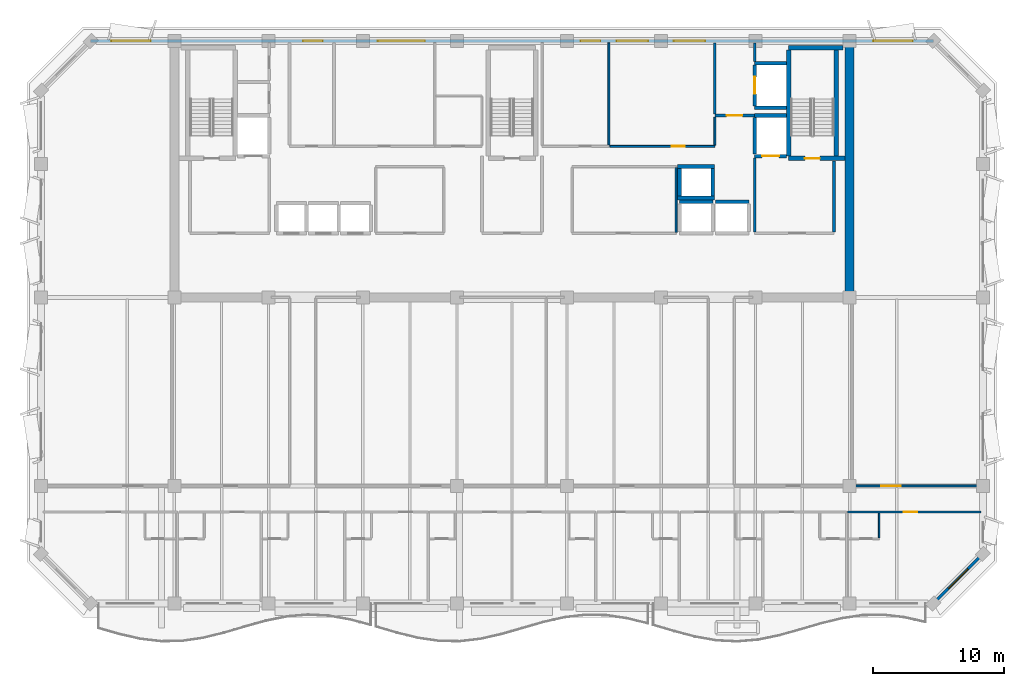
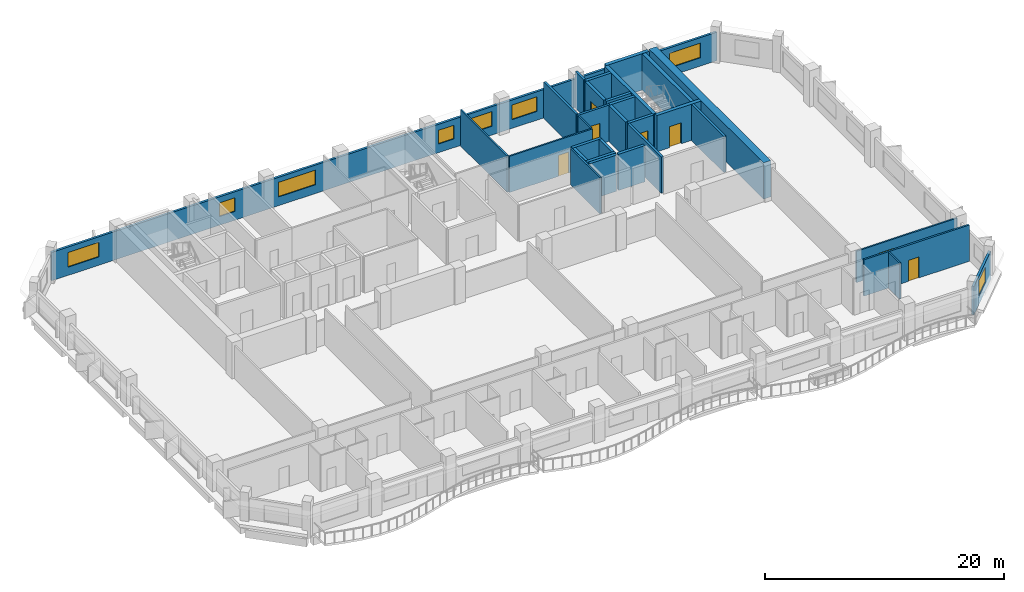
# One storey, part 7 of 11: 31 walls, 8 windows, 7 doors, 15 openings.
"""IFC4 building model written with IfcOpenShell, lengths in metres."""

from ifc_helpers import new_model, si_unit, direction, frame, frame_2d, origin, place, context, subcontext, project, spatial, rectangle, extrude, material, layer, layer_set, type_object, element, fill, save


model = new_model("IFC4")

# Units and contexts
model_context = context("Model", 3, precision=1e-05, world=origin(), true_north=direction((0.0, 1.0)))
body_context = subcontext(model_context, "Body", "Model", "MODEL_VIEW")
ifc_project = project(units=[si_unit("LENGTHUNIT", "METRE"), si_unit("AREAUNIT", "SQUARE_METRE"), si_unit("VOLUMEUNIT", "CUBIC_METRE"), si_unit("PLANEANGLEUNIT", "RADIAN"), si_unit("MASSUNIT", "GRAM", prefix="KILO")], contexts=[model_context])

# Site, building, storey
site_placement = place(None, origin())
site = spatial("IfcSite", under=ifc_project, at=site_placement, CompositionType="ELEMENT")
building_placement = place(site_placement, origin())
building = spatial("IfcBuilding", under=site, at=building_placement, Name="Kaelvorn Grand Hotel", CompositionType="ELEMENT")
storey_placement = place(building_placement, frame((0.0, 0.0, 241.0)))
storey = spatial("IfcBuildingStorey", under=building, at=storey_placement, Name="L59", CompositionType="ELEMENT", Elevation=241.0)

# Wall
ifc_material_1 = material(Name="Concrete C50/60", Category="concrete")
ifc_layer_1 = layer(ifc_material_1, 0.699951171875)
ifc_layer_set_1 = layer_set([ifc_layer_1], Name="Concrete C50/60")
wall_type_1 = type_object("IfcWallType", Name="WL-CORE-700-C50", PredefinedType="SHEAR", material=ifc_layer_set_1)
wall_1_placement = place(storey_placement, frame((67.800048828125, 29.39990234375, 0.0), z_axis=(0.0, 0.0, 1.0), x_axis=(0.0, 1.0, 0.0)))
element("IfcWall", 1, at=wall_1_placement, inside=storey, type_object=wall_type_1, Name="L59 Rear-Core East Shear Wall", PredefinedType="SHEAR", context=body_context, shape_type="SweptSolid", body=[
    extrude(rectangle(XDim=19.2001953125, YDim=0.699951171875, at=frame_2d((9.60009765625, 0.0))), origin(), (0.0, 0.0, 1.0), 3.7099609375),
])

# Wall, opening, window
ifc_material_2 = material(Name="Concrete C40/50", Category="concrete")
ifc_layer_2 = layer(ifc_material_2, 0.219970703125)
ifc_layer_set_2 = layer_set([ifc_layer_2], Name="Concrete C40/50")
wall_type_2 = type_object("IfcWallType", Name="WL-EXT-220-C40", PredefinedType="SOLIDWALL", material=ifc_layer_set_2)
wall_2_placement = place(storey_placement, frame((74.199951171875, 6.0, 0.0), z_axis=(0.0, 0.0, 1.0), x_axis=(0.707106781187, 0.707106781187, 0.0)))
wall_2 = element("IfcWall", 2, at=wall_2_placement, inside=storey, type_object=wall_type_2, Name="L59 Exterior Architectural Concrete Wall 02", PredefinedType="SOLIDWALL", context=body_context, shape_type="SweptSolid", body=[
    extrude(rectangle(XDim=5.3740234375, YDim=0.219970703125, at=frame_2d((2.68701171875, 0.0))), origin(), (0.0, 0.0, 1.0), 2.909912109375),
])
opening_1_placement = place(wall_2_placement, frame((1.636962890625, 0.0, 0.85009765625)))
opening_1 = element("IfcOpeningElement", 3, at=opening_1_placement, cuts=wall_2, Name="Opening W7", PredefinedType="OPENING", context=body_context, shape_type="SweptSolid", body=[
    extrude(rectangle(XDim=2.10009765625, YDim=1.60009765625, at=frame_2d((1.050048828125, 0.800048828125))), frame((0.0, 0.1201171875, 0.0), z_axis=(0.0, -1.0, 0.0), x_axis=(1.0, 0.0, 0.0)), (0.0, 0.0, 1.0), 0.239990234375),
])
ifc_material_3 = material(Name="Laminated Low-E Glass", Category="glass")
window_type_1 = type_object("IfcWindowType", Name="WIN-CHM-2100x1600", PartitioningType="SINGLE_PANEL", PredefinedType="WINDOW", material=ifc_material_3)
window_1_placement = place(opening_1_placement, origin())
window_1 = element("IfcWindow", 4, at=window_1_placement, inside=storey, type_object=window_type_1, Name="L59 Chamfered 45-Degree Corner Window SE", OverallHeight=1.60009765625, OverallWidth=2.10009765625, PartitioningType="SINGLE_PANEL", PredefinedType="WINDOW", context=body_context, shape_type="SweptSolid", body=[
    extrude(rectangle(XDim=2.10009765625, YDim=1.60009765625, at=frame_2d((1.050048828125, 0.800048828125))), frame((0.0, 0.030029296875, 0.0), z_axis=(0.0, -1.0, 0.0), x_axis=(1.0, 0.0, 0.0)), (0.0, 0.0, 1.0), 0.06005859375),
])
fill(opening_1, window_1)

# Wall, openings, windows
wall_3_placement = place(storey_placement, frame((74.199951171875, 49.0, 0.0), z_axis=(0.0, 0.0, 1.0), x_axis=(-1.0, 0.0, 0.0)))
wall_3 = element("IfcWall", 5, at=wall_3_placement, inside=storey, type_object=wall_type_2, Name="L59 Exterior Architectural Concrete Wall 05", PredefinedType="SOLIDWALL", context=body_context, shape_type="SweptSolid", body=[
    extrude(rectangle(XDim=64.39990234375, YDim=0.219970703125, at=frame_2d((32.199951171875, 0.0))), origin(), (0.0, 0.0, 1.0), 2.909912109375),
])
opening_2_placement = place(wall_3_placement, frame((59.81494140625, 0.0, 0.85009765625)))
opening_2 = element("IfcOpeningElement", 6, at=opening_2_placement, cuts=wall_3, Name="Opening W5", PredefinedType="OPENING", context=body_context, shape_type="SweptSolid", body=[
    extrude(rectangle(XDim=3.0, YDim=1.5, at=frame_2d((1.5, 0.75))), frame((0.0, 0.1201171875, 0.0), z_axis=(0.0, -1.0, 0.0), x_axis=(1.0, 0.0, 0.0)), (0.0, 0.0, 1.0), 0.239990234375),
])
opening_3_placement = place(wall_3_placement, frame((1.5849609375, 0.0, 0.85009765625)))
opening_3 = element("IfcOpeningElement", 7, at=opening_3_placement, cuts=wall_3, Name="Opening W5", PredefinedType="OPENING", context=body_context, shape_type="SweptSolid", body=[
    extrude(rectangle(XDim=3.0, YDim=1.5, at=frame_2d((1.5, 0.75))), frame((0.0, 0.1201171875, 0.0), z_axis=(0.0, -1.0, 0.0), x_axis=(1.0, 0.0, 0.0)), (0.0, 0.0, 1.0), 0.239990234375),
])
opening_4_placement = place(wall_3_placement, frame((46.6650390625, 0.0, 0.89990234375)))
opening_4 = element("IfcOpeningElement", 8, at=opening_4_placement, cuts=wall_3, Name="Opening W10", PredefinedType="OPENING", context=body_context, shape_type="SweptSolid", body=[
    extrude(rectangle(XDim=1.5, YDim=1.39990234375, at=frame_2d((0.75, 0.699951171875))), frame((0.0, 0.1201171875, 0.0), z_axis=(0.0, -1.0, 0.0), x_axis=(1.0, 0.0, 0.0)), (0.0, 0.0, 1.0), 0.239990234375),
])
opening_5_placement = place(wall_3_placement, frame((38.85009765625, 0.0, 0.89990234375)))
opening_5 = element("IfcOpeningElement", 9, at=opening_5_placement, cuts=wall_3, Name="Opening W3", PredefinedType="OPENING", context=body_context, shape_type="SweptSolid", body=[
    extrude(rectangle(XDim=3.60009765625, YDim=1.5, at=frame_2d((1.800048828125, 0.75))), frame((0.0, 0.1201171875, 0.0), z_axis=(0.0, -1.0, 0.0), x_axis=(1.0, 0.0, 0.0)), (0.0, 0.0, 1.0), 0.239990234375),
])
opening_6_placement = place(wall_3_placement, frame((25.449951171875, 0.0, 0.89990234375)))
opening_6 = element("IfcOpeningElement", 10, at=opening_6_placement, cuts=wall_3, Name="Opening W10", PredefinedType="OPENING", context=body_context, shape_type="SweptSolid", body=[
    extrude(rectangle(XDim=1.5, YDim=1.39990234375, at=frame_2d((0.75, 0.699951171875))), frame((0.0, 0.1201171875, 0.0), z_axis=(0.0, -1.0, 0.0), x_axis=(1.0, 0.0, 0.0)), (0.0, 0.0, 1.0), 0.239990234375),
])
opening_7_placement = place(wall_3_placement, frame((21.800048828125, 0.0, 0.89990234375)))
opening_7 = element("IfcOpeningElement", 11, at=opening_7_placement, cuts=wall_3, Name="Opening W6", PredefinedType="OPENING", context=body_context, shape_type="SweptSolid", body=[
    extrude(rectangle(XDim=2.39990234375, YDim=1.5, at=frame_2d((1.199951171875, 0.75))), frame((0.0, 0.1201171875, 0.0), z_axis=(0.0, -1.0, 0.0), x_axis=(1.0, 0.0, 0.0)), (0.0, 0.0, 1.0), 0.239990234375),
])
opening_8_placement = place(wall_3_placement, frame((17.43505859375, 0.0, 0.89990234375)))
opening_8 = element("IfcOpeningElement", 12, at=opening_8_placement, cuts=wall_3, Name="Opening W6", PredefinedType="OPENING", context=body_context, shape_type="SweptSolid", body=[
    extrude(rectangle(XDim=2.39990234375, YDim=1.5, at=frame_2d((1.199951171875, 0.75))), frame((0.0, 0.1201171875, 0.0), z_axis=(0.0, -1.0, 0.0), x_axis=(1.0, 0.0, 0.0)), (0.0, 0.0, 1.0), 0.239990234375),
])
window_type_2 = type_object("IfcWindowType", Name="WIN-COR-1500x1400", PartitioningType="SINGLE_PANEL", PredefinedType="WINDOW", material=ifc_material_3)
window_2_placement = place(opening_4_placement, origin())
window_2 = element("IfcWindow", 13, at=window_2_placement, inside=storey, type_object=window_type_2, Name="L59 North Core Clerestory Ribbon Window NC03", OverallHeight=1.39990234375, OverallWidth=1.5, PartitioningType="SINGLE_PANEL", PredefinedType="WINDOW", context=body_context, shape_type="SweptSolid", body=[
    extrude(rectangle(XDim=1.5, YDim=1.39990234375, at=frame_2d((0.75, 0.699951171875))), frame((0.0, 0.030029296875, 0.0), z_axis=(0.0, -1.0, 0.0), x_axis=(1.0, 0.0, 0.0)), (0.0, 0.0, 1.0), 0.06005859375),
])
fill(opening_4, window_2)
window_3_placement = place(opening_6_placement, origin())
window_3 = element("IfcWindow", 14, at=window_3_placement, inside=storey, type_object=window_type_2, Name="L59 North Core Clerestory Ribbon Window NC05", OverallHeight=1.39990234375, OverallWidth=1.5, PartitioningType="SINGLE_PANEL", PredefinedType="WINDOW", context=body_context, shape_type="SweptSolid", body=[
    extrude(rectangle(XDim=1.5, YDim=1.39990234375, at=frame_2d((0.75, 0.699951171875))), frame((0.0, 0.030029296875, 0.0), z_axis=(0.0, -1.0, 0.0), x_axis=(1.0, 0.0, 0.0)), (0.0, 0.0, 1.0), 0.06005859375),
])
fill(opening_6, window_3)
window_type_3 = type_object("IfcWindowType", Name="WIN-NTH-2400x1500", PartitioningType="SINGLE_PANEL", PredefinedType="WINDOW", material=ifc_material_3)
window_4_placement = place(opening_7_placement, origin())
window_4 = element("IfcWindow", 15, at=window_4_placement, inside=storey, type_object=window_type_3, Name="L59 North Core Clerestory Ribbon Window NC06", OverallHeight=1.5, OverallWidth=2.39990234375, PartitioningType="SINGLE_PANEL", PredefinedType="WINDOW", context=body_context, shape_type="SweptSolid", body=[
    extrude(rectangle(XDim=2.39990234375, YDim=1.5, at=frame_2d((1.199951171875, 0.75))), frame((0.0, 0.030029296875, 0.0), z_axis=(0.0, -1.0, 0.0), x_axis=(1.0, 0.0, 0.0)), (0.0, 0.0, 1.0), 0.06005859375),
])
fill(opening_7, window_4)
window_5_placement = place(opening_8_placement, origin())
window_5 = element("IfcWindow", 16, at=window_5_placement, inside=storey, type_object=window_type_3, Name="L59 North Core Clerestory Ribbon Window NC07", OverallHeight=1.5, OverallWidth=2.39990234375, PartitioningType="SINGLE_PANEL", PredefinedType="WINDOW", context=body_context, shape_type="SweptSolid", body=[
    extrude(rectangle(XDim=2.39990234375, YDim=1.5, at=frame_2d((1.199951171875, 0.75))), frame((0.0, 0.030029296875, 0.0), z_axis=(0.0, -1.0, 0.0), x_axis=(1.0, 0.0, 0.0)), (0.0, 0.0, 1.0), 0.06005859375),
])
fill(opening_8, window_5)
window_type_4 = type_object("IfcWindowType", Name="WIN-NTH-3000x1500", PartitioningType="SINGLE_PANEL", PredefinedType="WINDOW", material=ifc_material_3)
window_6_placement = place(opening_2_placement, origin())
window_6 = element("IfcWindow", 17, at=window_6_placement, inside=storey, type_object=window_type_4, Name="L59 North Wing Ribbon Window NW01", OverallHeight=1.5, OverallWidth=3.0, PartitioningType="SINGLE_PANEL", PredefinedType="WINDOW", context=body_context, shape_type="SweptSolid", body=[
    extrude(rectangle(XDim=3.0, YDim=1.5, at=frame_2d((1.5, 0.75))), frame((0.0, 0.030029296875, 0.0), z_axis=(0.0, -1.0, 0.0), x_axis=(1.0, 0.0, 0.0)), (0.0, 0.0, 1.0), 0.06005859375),
])
fill(opening_2, window_6)
window_7_placement = place(opening_3_placement, origin())
window_7 = element("IfcWindow", 18, at=window_7_placement, inside=storey, type_object=window_type_4, Name="L59 North Wing Ribbon Window NW02", OverallHeight=1.5, OverallWidth=3.0, PartitioningType="SINGLE_PANEL", PredefinedType="WINDOW", context=body_context, shape_type="SweptSolid", body=[
    extrude(rectangle(XDim=3.0, YDim=1.5, at=frame_2d((1.5, 0.75))), frame((0.0, 0.030029296875, 0.0), z_axis=(0.0, -1.0, 0.0), x_axis=(1.0, 0.0, 0.0)), (0.0, 0.0, 1.0), 0.06005859375),
])
fill(opening_3, window_7)
window_type_5 = type_object("IfcWindowType", Name="WIN-RIB-3600x1750", PartitioningType="SINGLE_PANEL", PredefinedType="WINDOW", material=ifc_material_3)
window_8_placement = place(opening_5_placement, origin())
window_8 = element("IfcWindow", 19, at=window_8_placement, inside=storey, type_object=window_type_5, Name="L59 North Core Clerestory Ribbon Window NC04", OverallHeight=1.5, OverallWidth=3.60009765625, PartitioningType="SINGLE_PANEL", PredefinedType="WINDOW", context=body_context, shape_type="SweptSolid", body=[
    extrude(rectangle(XDim=3.60009765625, YDim=1.5, at=frame_2d((1.800048828125, 0.75))), frame((0.0, 0.030029296875, 0.0), z_axis=(0.0, -1.0, 0.0), x_axis=(1.0, 0.0, 0.0)), (0.0, 0.0, 1.0), 0.06005859375),
])
fill(opening_5, window_8)

# Walls
ifc_material_4 = material(Name="Moisture-Resistant Tile & Stud Board")
ifc_layer_3 = layer(ifc_material_4, 0.125)
ifc_layer_set_3 = layer_set([ifc_layer_3], Name="Moisture-Resistant Tile & Stud Board")
wall_type_3 = type_object("IfcWallType", Name="WL-PART-125-WET", PredefinedType="PARTITIONING", material=ifc_layer_set_3)
wall_4_placement = place(storey_placement, frame((70.06005859375, 11.017578125, 0.0), z_axis=(0.0, 0.0, 1.0), x_axis=(0.0, 1.0, 0.0)))
element("IfcWall", 20, at=wall_4_placement, inside=storey, type_object=wall_type_3, Name="L59 En-suite Bathroom L59-10 E Partition", PredefinedType="PARTITIONING", context=body_context, shape_type="SweptSolid", body=[
    extrude(rectangle(XDim=1.887451171875, YDim=0.125, at=frame_2d((0.94384765625, 0.0))), origin(), (0.0, 0.0, 1.0), 3.7099609375),
])
ifc_material_5 = material(Name="Acoustic Gypsum & Stud Partition")
ifc_layer_4 = layer(ifc_material_5, 0.14990234375)
ifc_layer_set_4 = layer_set([ifc_layer_4], Name="Acoustic Gypsum & Stud Partition")
wall_type_4 = type_object("IfcWallType", Name="WL-PART-150-EI60", PredefinedType="PARTITIONING", material=ifc_layer_set_4)
wall_5_placement = place(storey_placement, frame((54.550048828125, 34.3798828125, 0.0), z_axis=(0.0, 0.0, 1.0), x_axis=(0.0, 1.0, 0.0)))
element("IfcWall", 21, at=wall_5_placement, inside=storey, type_object=wall_type_4, Name="L59 Sky Concierge & Butler Pantry Lounge E Partition", PredefinedType="PARTITIONING", context=body_context, shape_type="SweptSolid", body=[
    extrude(rectangle(XDim=4.940185546875, YDim=0.14990234375, at=frame_2d((2.47021484375, 0.0))), origin(), (0.0, 0.0, 1.0), 3.7099609375),
])
wall_6_placement = place(storey_placement, frame((49.39990234375, 41.030029296875, 0.0), z_axis=(0.0, 0.0, 1.0), x_axis=(0.0, 1.0, 0.0)))
element("IfcWall", 22, at=wall_6_placement, inside=storey, type_object=wall_type_4, Name="L59 Laundry Chute Vestibule E Partition", PredefinedType="PARTITIONING", context=body_context, shape_type="SweptSolid", body=[
    extrude(rectangle(XDim=7.820068359375, YDim=0.14990234375, at=frame_2d((3.91015625, 0.0))), origin(), (0.0, 0.0, 1.0), 3.7099609375),
])

# Wall, opening, door
wall_7_placement = place(storey_placement, frame((49.47998046875, 40.949951171875, 0.0), z_axis=(0.0, 0.0, 1.0), x_axis=(1.0, 0.0, 0.0)))
wall_7 = element("IfcWall", 23, at=wall_7_placement, inside=storey, type_object=wall_type_4, Name="L59 Butler Servery Pantry S Partition", PredefinedType="PARTITIONING", context=body_context, shape_type="SweptSolid", body=[
    extrude(rectangle(XDim=8.02001953125, YDim=0.14990234375, at=frame_2d((4.010009765625, 0.0))), origin(), (0.0, 0.0, 1.0), 3.7099609375),
])
opening_9_placement = place(wall_7_placement, frame((4.719970703125, 0.0, 0.0)))
opening_9 = element("IfcOpeningElement", 24, at=opening_9_placement, cuts=wall_7, Name="Opening DI3", PredefinedType="OPENING", context=body_context, shape_type="SweptSolid", body=[
    extrude(rectangle(XDim=1.0, YDim=2.14990234375, at=frame_2d((0.5, 1.074951171875))), frame((0.0, 0.0849609375, 0.0), z_axis=(0.0, -1.0, 0.0), x_axis=(1.0, 0.0, 0.0)), (0.0, 0.0, 1.0), 0.169921875),
])
ifc_material_6 = material(Name="Timber Veneer Fire Leaf", Category="wood")
door_type_1 = type_object("IfcDoorType", Name="DR-INT-GUEST-1000x2150", OperationType="NOTDEFINED", PredefinedType="DOOR", material=ifc_material_6)
door_1_placement = place(opening_9_placement, origin())
door_1 = element("IfcDoor", 25, at=door_1_placement, inside=storey, type_object=door_type_1, Name="L59 Butler Servery Pantry Door", OperationType="SINGLE_SWING_RIGHT", OverallHeight=2.14990234375, OverallWidth=1.0, PredefinedType="DOOR", context=body_context, shape_type="SweptSolid", body=[
    extrude(rectangle(XDim=1.0, YDim=2.14990234375, at=frame_2d((0.5, 1.074951171875))), frame((0.0, 0.02490234375, 0.0), z_axis=(0.0, -1.0, 0.0), x_axis=(1.0, 0.0, 0.0)), (0.0, 0.0, 1.0), 0.050048828125),
])
fill(opening_9, door_1)

# Wall
wall_8_placement = place(storey_placement, frame((57.5, 41.030029296875, 0.0), z_axis=(0.0, 0.0, 1.0), x_axis=(0.0, 1.0, 0.0)))
element("IfcWall", 26, at=wall_8_placement, inside=storey, type_object=wall_type_4, Name="L59 Butler Servery Pantry E Partition", PredefinedType="PARTITIONING", context=body_context, shape_type="SweptSolid", body=[
    extrude(rectangle(XDim=2.155029296875, YDim=0.14990234375, at=frame_2d((1.07763671875, 0.0))), origin(), (0.0, 0.0, 1.0), 3.7099609375),
])

# Wall, opening, door
wall_9_placement = place(storey_placement, frame((68.080078125, 15.0, 0.0), z_axis=(0.0, 0.0, 1.0), x_axis=(1.0, 0.0, 0.0)))
wall_9 = element("IfcWall", 27, at=wall_9_placement, inside=storey, type_object=wall_type_4, Name="L59 East Sky Executive Meeting Boardroom S Partition", PredefinedType="PARTITIONING", context=body_context, shape_type="SweptSolid", body=[
    extrude(rectangle(XDim=9.77001953125, YDim=0.14990234375, at=frame_2d((4.885009765625, 0.0))), origin(), (0.0, 0.0, 1.0), 3.2099609375),
])
opening_10_placement = place(wall_9_placement, frame((2.139892578125, 0.0, 0.0)))
opening_10 = element("IfcOpeningElement", 28, at=opening_10_placement, cuts=wall_9, Name="Opening DI5", PredefinedType="OPENING", context=body_context, shape_type="SweptSolid", body=[
    extrude(rectangle(XDim=1.5, YDim=2.25, at=frame_2d((0.75, 1.125))), frame((0.0, 0.0849609375, 0.0), z_axis=(0.0, -1.0, 0.0), x_axis=(1.0, 0.0, 0.0)), (0.0, 0.0, 1.0), 0.169921875),
])
door_type_2 = type_object("IfcDoorType", Name="DR-INT-SALON-1500x2250", OperationType="DOUBLE_DOOR_SINGLE_SWING", PredefinedType="DOOR", material=ifc_material_6)
door_2_placement = place(opening_10_placement, origin())
door_2 = element("IfcDoor", 29, at=door_2_placement, inside=storey, type_object=door_type_2, Name="L59 East Sky Executive Meeting Boardroom Door", OperationType="DOUBLE_DOOR_SINGLE_SWING", OverallHeight=2.25, OverallWidth=1.5, PredefinedType="DOOR", context=body_context, shape_type="SweptSolid", body=[
    extrude(rectangle(XDim=1.5, YDim=2.25, at=frame_2d((0.75, 1.125))), frame((0.0, 0.02490234375, 0.0), z_axis=(0.0, -1.0, 0.0), x_axis=(1.0, 0.0, 0.0)), (0.0, 0.0, 1.0), 0.050048828125),
])
fill(opening_10, door_2)

ifc_layer_5 = layer(ifc_material_5, 0.179931640625)
ifc_layer_set_5 = layer_set([ifc_layer_5], Name="Acoustic Gypsum & Stud Partition")
wall_type_5 = type_object("IfcWallType", Name="WL-PART-180-EI60", PredefinedType="PARTITIONING", material=ifc_layer_set_5)
wall_10_placement = place(storey_placement, frame((67.655029296875, 13.0, 0.0), z_axis=(0.0, 0.0, 1.0), x_axis=(1.0, 0.0, 0.0)))
wall_10 = element("IfcWall", 30, at=wall_10_placement, inside=storey, type_object=wall_type_5, Name="L59 Ambassador Guest Room L59-10 N Partition", PredefinedType="PARTITIONING", context=body_context, shape_type="SweptSolid", body=[
    extrude(rectangle(XDim=10.195068359375, YDim=0.179931640625, at=frame_2d((5.09765625, 0.0))), origin(), (0.0, 0.0, 1.0), 3.7099609375),
])
opening_11_placement = place(wall_10_placement, frame((4.300048828125, 0.0, 0.0)))
opening_11 = element("IfcOpeningElement", 31, at=opening_11_placement, cuts=wall_10, Name="Opening DI3", PredefinedType="OPENING", context=body_context, shape_type="SweptSolid", body=[
    extrude(rectangle(XDim=1.0, YDim=2.14990234375, at=frame_2d((0.5, 1.074951171875))), frame((0.0, 0.10009765625, 0.0), z_axis=(0.0, -1.0, 0.0), x_axis=(1.0, 0.0, 0.0)), (0.0, 0.0, 1.0), 0.199951171875),
])
door_3_placement = place(opening_11_placement, origin())
door_3 = element("IfcDoor", 32, at=door_3_placement, inside=storey, type_object=door_type_1, Name="L59 Ambassador Guest Room L59-10 Door", OperationType="SINGLE_SWING_LEFT", OverallHeight=2.14990234375, OverallWidth=1.0, PredefinedType="DOOR", context=body_context, shape_type="SweptSolid", body=[
    extrude(rectangle(XDim=1.0, YDim=2.14990234375, at=frame_2d((0.5, 1.074951171875))), frame((0.0, 0.02490234375, 0.0), z_axis=(0.0, -1.0, 0.0), x_axis=(1.0, 0.0, 0.0)), (0.0, 0.0, 1.0), 0.050048828125),
])
fill(opening_11, door_3)

# Walls
ifc_layer_6 = layer(ifc_material_2, 0.219970703125)
ifc_layer_set_6 = layer_set([ifc_layer_6], Name="Concrete C40/50")
wall_type_6 = type_object("IfcWallType", Name="WL-PART-220-EI120", PredefinedType="PARTITIONING", material=ifc_layer_set_6)
wall_11_placement = place(storey_placement, frame((60.550048828125, 34.4150390625, 0.0), z_axis=(0.0, 0.0, 1.0), x_axis=(0.0, 1.0, 0.0)))
element("IfcWall", 33, at=wall_11_placement, inside=storey, type_object=wall_type_6, Name="L59 Firefighting Lift Lobby 2 W Partition", PredefinedType="PARTITIONING", context=body_context, shape_type="SweptSolid", body=[
    extrude(rectangle(XDim=5.639892578125, YDim=0.219970703125, at=frame_2d((2.81982421875, 0.0))), origin(), (0.0, 0.0, 1.0), 3.7099609375),
])
wall_12_placement = place(storey_placement, frame((66.60009765625, 34.4150390625, 0.0), z_axis=(0.0, 0.0, 1.0), x_axis=(0.0, 1.0, 0.0)))
element("IfcWall", 34, at=wall_12_placement, inside=storey, type_object=wall_type_6, Name="L59 Firefighting Lift Lobby 2 E Partition", PredefinedType="PARTITIONING", context=body_context, shape_type="SweptSolid", body=[
    extrude(rectangle(XDim=5.429931640625, YDim=0.219970703125, at=frame_2d((2.71484375, 0.0))), origin(), (0.0, 0.0, 1.0), 3.7099609375),
])

# Wall, opening, door
wall_13_placement = place(storey_placement, frame((57.5, 43.300048828125, 0.0), z_axis=(0.0, 0.0, 1.0), x_axis=(1.0, 0.0, 0.0)))
wall_13 = element("IfcWall", 35, at=wall_13_placement, inside=storey, type_object=wall_type_6, Name="L59 Service Lift Lobby S Partition", PredefinedType="PARTITIONING", context=body_context, shape_type="SweptSolid", body=[
    extrude(rectangle(XDim=3.0400390625, YDim=0.219970703125, at=frame_2d((1.52001953125, 0.0))), origin(), (0.0, 0.0, 1.0), 3.7099609375),
])
opening_12_placement = place(wall_13_placement, frame((0.89990234375, 0.0, 0.0)))
opening_12 = element("IfcOpeningElement", 36, at=opening_12_placement, cuts=wall_13, Name="Opening DI2", PredefinedType="OPENING", context=body_context, shape_type="SweptSolid", body=[
    extrude(rectangle(XDim=1.199951171875, YDim=2.14990234375, at=frame_2d((0.60009765625, 1.074951171875))), frame((0.0, 0.1201171875, 0.0), z_axis=(0.0, -1.0, 0.0), x_axis=(1.0, 0.0, 0.0)), (0.0, 0.0, 1.0), 0.239990234375),
])
door_type_3 = type_object("IfcDoorType", Name="DR-INT-FFLOB-1200x2150", OperationType="NOTDEFINED", PredefinedType="DOOR", material=ifc_material_6)
door_4_placement = place(opening_12_placement, origin())
door_4 = element("IfcDoor", 37, at=door_4_placement, inside=storey, type_object=door_type_3, Name="L59 Service Lift Lobby Door", OperationType="SINGLE_SWING_LEFT", OverallHeight=2.14990234375, OverallWidth=1.199951171875, PredefinedType="DOOR", context=body_context, shape_type="SweptSolid", body=[
    extrude(rectangle(XDim=1.199951171875, YDim=2.14990234375, at=frame_2d((0.60009765625, 1.074951171875))), frame((0.0, 0.02490234375, 0.0), z_axis=(0.0, -1.0, 0.0), x_axis=(1.0, 0.0, 0.0)), (0.0, 0.0, 1.0), 0.050048828125),
])
fill(opening_12, door_4)

# Walls
wall_14_placement = place(storey_placement, frame((57.5, 43.4150390625, 0.0), z_axis=(0.0, 0.0, 1.0), x_axis=(0.0, 1.0, 0.0)))
element("IfcWall", 38, at=wall_14_placement, inside=storey, type_object=wall_type_6, Name="L59 Service Lift Lobby W Partition", PredefinedType="PARTITIONING", context=body_context, shape_type="SweptSolid", body=[
    extrude(rectangle(XDim=5.43505859375, YDim=0.219970703125, at=frame_2d((2.717529296875, 0.0))), origin(), (0.0, 0.0, 1.0), 3.7099609375),
])
wall_15_placement = place(storey_placement, frame((60.550048828125, 47.445068359375, 0.0), z_axis=(0.0, 0.0, 1.0), x_axis=(0.0, 1.0, 0.0)))
element("IfcWall", 39, at=wall_15_placement, inside=storey, type_object=wall_type_6, Name="L59 Service Lift Lobby E Partition", PredefinedType="PARTITIONING", context=body_context, shape_type="SweptSolid", body=[
    extrude(rectangle(XDim=1.405029296875, YDim=0.219970703125, at=frame_2d((0.70263671875, 0.0))), origin(), (0.0, 0.0, 1.0), 3.7099609375),
])
ifc_layer_7 = layer(ifc_material_1, 0.280029296875)
ifc_layer_set_7 = layer_set([ifc_layer_7], Name="Concrete C50/60")
wall_type_7 = type_object("IfcWallType", Name="WL-SHAFT-280-C50", PredefinedType="SHEAR", material=ifc_layer_set_7)
for number, where, z_axis, x_axis, name in (
    (40, (54.800048828125, 36.699951171875, 0.0), (0.0, 0.0, 1.0), (1.0, 0.0, 0.0), "L59 Lift OL-1 Shaft North Wall"),
    (41, (57.550048828125, 36.699951171875, 0.0), (0.0, 0.0, 1.0), (1.0, 0.0, 0.0), "L59 Lift OL-2 Shaft North Wall"),
):
    element("IfcWall", number, at=place(storey_placement, frame(where, z_axis=z_axis, x_axis=x_axis)), inside=storey, type_object=wall_type_7, Name=name, PredefinedType="SHEAR", context=body_context, shape_type="SweptSolid", body=[
        extrude(rectangle(XDim=2.550048828125, YDim=0.280029296875, at=frame_2d((1.27490234375, 0.0))), origin(), (0.0, 0.0, 1.0), 3.7099609375),
    ])
for number, where, z_axis, x_axis, name in (
    (42, (54.659912109375, 37.0, 0.0), (0.0, 0.0, 1.0), (1.0, 0.0, 0.0), "L59 Lift OL-3 Shaft South Wall"),
    (43, (54.659912109375, 39.39990234375, 0.0), (0.0, 0.0, 1.0), (1.0, 0.0, 0.0), "L59 Lift OL-3 Shaft North Wall"),
):
    element("IfcWall", number, at=place(storey_placement, frame(where, z_axis=z_axis, x_axis=x_axis)), inside=storey, type_object=wall_type_7, Name=name, PredefinedType="SHEAR", context=body_context, shape_type="SweptSolid", body=[
        extrude(rectangle(XDim=2.830078125, YDim=0.280029296875, at=frame_2d((1.4150390625, 0.0))), origin(), (0.0, 0.0, 1.0), 3.7099609375),
    ])
for number, where, z_axis, x_axis, name in (
    (44, (54.800048828125, 37.14501953125, 0.0), (0.0, 0.0, 1.0), (0.0, 1.0, 0.0), "L59 Lift OL-3 Shaft West Wall"),
    (45, (57.35009765625, 37.14501953125, 0.0), (0.0, 0.0, 1.0), (0.0, 1.0, 0.0), "L59 Lift OL-3 Shaft East Wall"),
):
    element("IfcWall", number, at=place(storey_placement, frame(where, z_axis=z_axis, x_axis=x_axis)), inside=storey, type_object=wall_type_7, Name=name, PredefinedType="SHEAR", context=body_context, shape_type="SweptSolid", body=[
        extrude(rectangle(XDim=2.10986328125, YDim=0.280029296875, at=frame_2d((1.054931640625, 0.0))), origin(), (0.0, 0.0, 1.0), 3.7099609375),
    ])

# Wall, opening, door
wall_16_placement = place(storey_placement, frame((60.550048828125, 40.199951171875, 0.0), z_axis=(0.0, 0.0, 1.0), x_axis=(1.0, 0.0, 0.0)))
wall_16 = element("IfcWall", 46, at=wall_16_placement, inside=storey, type_object=wall_type_7, Name="L59 Lift FFL2 Shaft South Wall", PredefinedType="SHEAR", context=body_context, shape_type="SweptSolid", body=[
    extrude(rectangle(XDim=2.4150390625, YDim=0.280029296875, at=frame_2d((1.20751953125, 0.0))), origin(), (0.0, 0.0, 1.0), 3.7099609375),
])
opening_13_placement = place(wall_16_placement, frame((0.574951171875, 0.0, 0.0)))
opening_13 = element("IfcOpeningElement", 47, at=opening_13_placement, cuts=wall_16, Name="Opening LD-FFL2", PredefinedType="OPENING", context=body_context, shape_type="SweptSolid", body=[
    extrude(rectangle(XDim=1.300048828125, YDim=2.300048828125, at=frame_2d((0.64990234375, 1.14990234375))), frame((0.0, 0.14990234375, 0.0), z_axis=(0.0, -1.0, 0.0), x_axis=(1.0, 0.0, 0.0)), (0.0, 0.0, 1.0), 0.300048828125),
])
ifc_material_7 = material(Name="Stainless Steel", Category="steel")
door_type_4 = type_object("IfcDoorType", Name="DR-LIFT-SERV-1300x2300", OperationType="DOUBLE_DOOR_SLIDING", PredefinedType="DOOR", material=ifc_material_7)
door_5_placement = place(opening_13_placement, origin())
door_5 = element("IfcDoor", 48, at=door_5_placement, inside=storey, type_object=door_type_4, Name="L59 Lift FFL2 Sliding Landing Door LD-FFL2", OperationType="DOUBLE_DOOR_SLIDING", OverallHeight=2.300048828125, OverallWidth=1.300048828125, PredefinedType="DOOR", context=body_context, shape_type="SweptSolid", body=[
    extrude(rectangle(XDim=1.300048828125, YDim=2.300048828125, at=frame_2d((0.64990234375, 1.14990234375))), frame((0.0, 0.02490234375, 0.0), z_axis=(0.0, -1.0, 0.0), x_axis=(1.0, 0.0, 0.0)), (0.0, 0.0, 1.0), 0.050048828125),
])
fill(opening_13, door_5)

# Walls
wall_17_placement = place(storey_placement, frame((60.550048828125, 43.300048828125, 0.0), z_axis=(0.0, 0.0, 1.0), x_axis=(1.0, 0.0, 0.0)))
element("IfcWall", 49, at=wall_17_placement, inside=storey, type_object=wall_type_7, Name="L59 Lift FFL2 Shaft North Wall", PredefinedType="SHEAR", context=body_context, shape_type="SweptSolid", body=[
    extrude(rectangle(XDim=2.4150390625, YDim=0.280029296875, at=frame_2d((1.20751953125, 0.0))), origin(), (0.0, 0.0, 1.0), 3.7099609375),
])
wall_18_placement = place(storey_placement, frame((60.550048828125, 40.344970703125, 0.0), z_axis=(0.0, 0.0, 1.0), x_axis=(0.0, 1.0, 0.0)))
element("IfcWall", 50, at=wall_18_placement, inside=storey, type_object=wall_type_7, Name="L59 Lift FFL2 Shaft West Wall", PredefinedType="SHEAR", context=body_context, shape_type="SweptSolid", body=[
    extrude(rectangle(XDim=2.81005859375, YDim=0.280029296875, at=frame_2d((1.405029296875, 0.0))), origin(), (0.0, 0.0, 1.0), 3.7099609375),
])
for number, where, z_axis, x_axis, name in (
    (51, (60.550048828125, 43.89990234375, 0.0), (0.0, 0.0, 1.0), (1.0, 0.0, 0.0), "L59 Lift SV1 Shaft South Wall"),
    (52, (60.550048828125, 47.300048828125, 0.0), (0.0, 0.0, 1.0), (1.0, 0.0, 0.0), "L59 Lift SV1 Shaft North Wall"),
):
    element("IfcWall", number, at=place(storey_placement, frame(where, z_axis=z_axis, x_axis=x_axis)), inside=storey, type_object=wall_type_7, Name=name, PredefinedType="SHEAR", context=body_context, shape_type="SweptSolid", body=[
        extrude(rectangle(XDim=2.4150390625, YDim=0.280029296875, at=frame_2d((1.20751953125, 0.0))), origin(), (0.0, 0.0, 1.0), 3.7099609375),
    ])

# Wall, opening, door
wall_19_placement = place(storey_placement, frame((60.550048828125, 44.044921875, 0.0), z_axis=(0.0, 0.0, 1.0), x_axis=(0.0, 1.0, 0.0)))
wall_19 = element("IfcWall", 53, at=wall_19_placement, inside=storey, type_object=wall_type_7, Name="L59 Lift SV1 Shaft West Wall", PredefinedType="SHEAR", context=body_context, shape_type="SweptSolid", body=[
    extrude(rectangle(XDim=3.110107421875, YDim=0.280029296875, at=frame_2d((1.55517578125, 0.0))), origin(), (0.0, 0.0, 1.0), 3.7099609375),
])
opening_14_placement = place(wall_19_placement, frame((0.905029296875, 0.0, 0.0)))
opening_14 = element("IfcOpeningElement", 54, at=opening_14_placement, cuts=wall_19, Name="Opening LD-SV1", PredefinedType="OPENING", context=body_context, shape_type="SweptSolid", body=[
    extrude(rectangle(XDim=1.300048828125, YDim=2.300048828125, at=frame_2d((0.64990234375, 1.14990234375))), frame((0.0, 0.14990234375, 0.0), z_axis=(0.0, -1.0, 0.0), x_axis=(1.0, 0.0, 0.0)), (0.0, 0.0, 1.0), 0.300048828125),
])
door_6_placement = place(opening_14_placement, origin())
door_6 = element("IfcDoor", 55, at=door_6_placement, inside=storey, type_object=door_type_4, Name="L59 Lift SV1 Sliding Landing Door LD-SV1", OperationType="DOUBLE_DOOR_SLIDING", OverallHeight=2.300048828125, OverallWidth=1.300048828125, PredefinedType="DOOR", context=body_context, shape_type="SweptSolid", body=[
    extrude(rectangle(XDim=1.300048828125, YDim=2.300048828125, at=frame_2d((0.64990234375, 1.14990234375))), frame((0.0, 0.02490234375, 0.0), z_axis=(0.0, -1.0, 0.0), x_axis=(1.0, 0.0, 0.0)), (0.0, 0.0, 1.0), 0.050048828125),
])
fill(opening_14, door_6)

ifc_material_8 = material(Name="Concrete C60/75", Category="concrete")
ifc_layer_8 = layer(ifc_material_8, 0.35009765625)
ifc_layer_set_8 = layer_set([ifc_layer_8], Name="Concrete C60/75")
wall_type_8 = type_object("IfcWallType", Name="WL-SHAFT-350-C60", PredefinedType="SHEAR", material=ifc_layer_set_8)
wall_20_placement = place(storey_placement, frame((63.14501953125, 40.02490234375, 0.0), z_axis=(0.0, 0.0, 1.0), x_axis=(1.0, 0.0, 0.0)))
wall_20 = element("IfcWall", 56, at=wall_20_placement, inside=storey, type_object=wall_type_8, Name="L59 ST3 Stair Shaft South Wall", PredefinedType="SHEAR", context=body_context, shape_type="SweptSolid", body=[
    extrude(rectangle(XDim=4.300048828125, YDim=0.35009765625, at=frame_2d((2.14990234375, 0.0))), origin(), (0.0, 0.0, 1.0), 3.7099609375),
])
opening_15_placement = place(wall_20_placement, frame((1.239990234375, 0.0, 0.0)))
opening_15 = element("IfcOpeningElement", 57, at=opening_15_placement, cuts=wall_20, Name="Opening DI1", PredefinedType="OPENING", context=body_context, shape_type="SweptSolid", body=[
    extrude(rectangle(XDim=1.14990234375, YDim=2.14990234375, at=frame_2d((0.574951171875, 1.074951171875))), frame((0.0, 0.18505859375, 0.0), z_axis=(0.0, -1.0, 0.0), x_axis=(1.0, 0.0, 0.0)), (0.0, 0.0, 1.0), 0.3701171875),
])
door_type_5 = type_object("IfcDoorType", Name="DR-INT-STAIR-1150x2150", OperationType="NOTDEFINED", PredefinedType="DOOR", material=ifc_material_6)
door_7_placement = place(opening_15_placement, origin())
door_7 = element("IfcDoor", 58, at=door_7_placement, inside=storey, type_object=door_type_5, Name="L59 ST3 Exit Stair Fire Door", OperationType="SINGLE_SWING_LEFT", OverallHeight=2.14990234375, OverallWidth=1.14990234375, PredefinedType="DOOR", context=body_context, shape_type="SweptSolid", body=[
    extrude(rectangle(XDim=1.14990234375, YDim=2.14990234375, at=frame_2d((0.574951171875, 1.074951171875))), frame((0.0, 0.02490234375, 0.0), z_axis=(0.0, -1.0, 0.0), x_axis=(1.0, 0.0, 0.0)), (0.0, 0.0, 1.0), 0.050048828125),
])
fill(opening_15, door_7)

# Walls
wall_21_placement = place(storey_placement, frame((63.14501953125, 48.47509765625, 0.0), z_axis=(0.0, 0.0, 1.0), x_axis=(1.0, 0.0, 0.0)))
element("IfcWall", 59, at=wall_21_placement, inside=storey, type_object=wall_type_8, Name="L59 ST3 Stair Shaft North Wall", PredefinedType="SHEAR", context=body_context, shape_type="SweptSolid", body=[
    extrude(rectangle(XDim=4.14990234375, YDim=0.35009765625, at=frame_2d((2.074951171875, 0.0))), origin(), (0.0, 0.0, 1.0), 3.7099609375),
])
for number, where, z_axis, x_axis, name in (
    (60, (63.14501953125, 40.205078125, 0.0), (0.0, 0.0, 1.0), (0.0, 1.0, 0.0), "L59 ST3 Stair Shaft West Wall"),
    (61, (66.77490234375, 40.205078125, 0.0), (0.0, 0.0, 1.0), (0.0, 1.0, 0.0), "L59 ST3 Stair Shaft East Wall"),
):
    element("IfcWall", number, at=place(storey_placement, frame(where, z_axis=z_axis, x_axis=x_axis)), inside=storey, type_object=wall_type_8, Name=name, PredefinedType="SHEAR", context=body_context, shape_type="SweptSolid", body=[
        extrude(rectangle(XDim=8.08984375, YDim=0.35009765625, at=frame_2d((4.044921875, 0.0))), origin(), (0.0, 0.0, 1.0), 3.7099609375),
    ])

save(model, "model.ifc")
